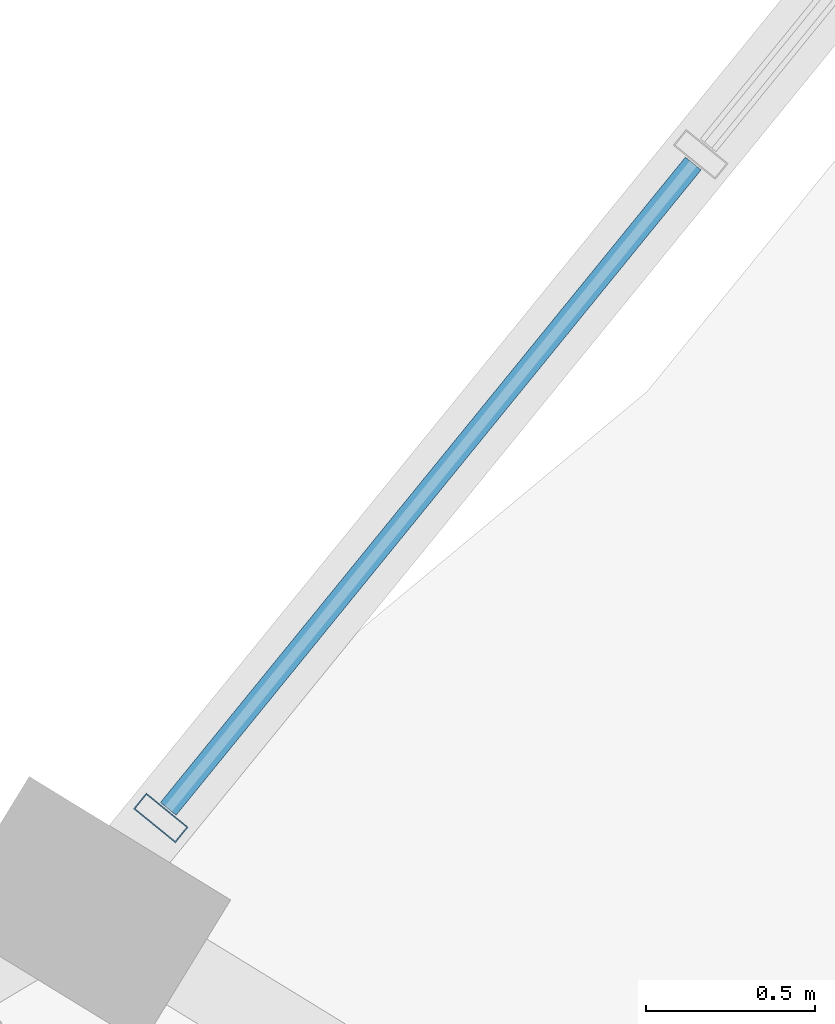
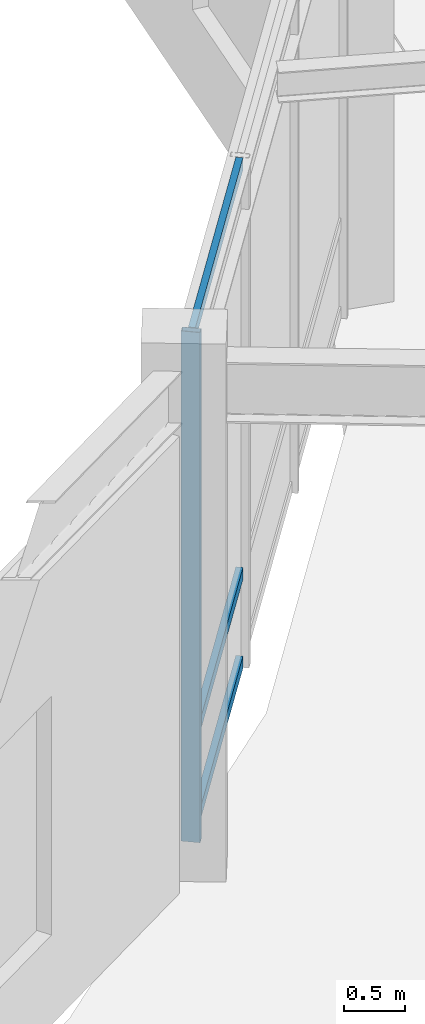
# One storey, part 66 of 157: 4 members, 1 element without a shape of its own.
"""IFC4 building model written with IfcOpenShell, lengths in metres."""

from ifc_helpers import new_model, si_unit, direction, frame, origin, origin_2d, place, context, subcontext, project, spatial, hollow_rectangle, extrude, material, material_profile, profile_set, type_object, element, aggregate, save


model = new_model("IFC4")

# Units and contexts
model_context = context("Model", 3, precision=1e-05, world=origin(), true_north=direction((0.0, 1.0)))
body_context = subcontext(model_context, "Body", "Model", "MODEL_VIEW")
ifc_project = project(units=[si_unit("LENGTHUNIT", "METRE"), si_unit("AREAUNIT", "SQUARE_METRE"), si_unit("VOLUMEUNIT", "CUBIC_METRE"), si_unit("PLANEANGLEUNIT", "RADIAN"), si_unit("MASSUNIT", "GRAM", prefix="KILO"), si_unit("THERMODYNAMICTEMPERATUREUNIT", "KELVIN"), si_unit("POWERUNIT", "WATT")], contexts=[model_context])

# Site, building, storey
site_placement = place(None, origin())
site = spatial("IfcSite", under=ifc_project, at=site_placement, CompositionType="ELEMENT")
building_placement = place(site_placement, origin())
building = spatial("IfcBuilding", under=site, at=building_placement, Name="Darbajah Civic Hall", CompositionType="ELEMENT")
storey_placement = place(building_placement, origin())
storey = spatial("IfcBuildingStorey", under=building, at=storey_placement, Name="L00", CompositionType="ELEMENT", Elevation=0.0)

# Curtain wall, members
ifc_material_1 = material(Name="Anodised Bronze Aluminium and Low-E Glazing", Category="aluminium")
curtain_wall_type = type_object("IfcCurtainWallType", Name="Unitised Curtain Wall CW-17 7600x5100", PredefinedType="USERDEFINED", material=ifc_material_1)
curtain_wall_placement = place(storey_placement, origin())
curtain_wall = element("IfcCurtainWall", 1, at=curtain_wall_placement, inside=storey, type_object=curtain_wall_type, Name="L00 unitised curtain wall CW-V1I-L00-18", ObjectType="UNITISED CURTAIN WALL", PredefinedType="USERDEFINED")
ifc_material_2 = material(Name="Anodised Bronze Aluminium", Category="aluminium")
ifc_material_profile_1 = material_profile(ifc_material_2, hollow_rectangle(XDim=0.06005859375, YDim=0.159912109375, WallThickness=0.00341796875, at=origin_2d()), Name="ALU MULLION 60x160")
ifc_profile_set_1 = profile_set([ifc_material_profile_1], Name="Anodised Bronze Aluminium")
member_type_1 = type_object("IfcMemberType", Name="ALU MULLION 60x160", PredefinedType="MULLION", material=ifc_profile_set_1)
member_1_placement = place(storey_placement, frame((126.667724609375, 78.42138671875, 0.0), z_axis=(0.0, 0.0, 1.0), x_axis=(0.63108205791, 0.775716079622, 0.0)))
member_1 = element("IfcMember", 2, at=member_1_placement, type_object=member_type_1, Name="CW-V1I-L00-18 mullion 1", PredefinedType="MULLION", context=body_context, shape_type="SweptSolid", body=[
    extrude(hollow_rectangle(XDim=0.06005859375, YDim=0.159912109375, WallThickness=0.00341796875, at=origin_2d()), origin(), (0.0, 0.0, 1.0), 5.1201171875),
])
ifc_material_profile_2 = material_profile(ifc_material_2, hollow_rectangle(XDim=0.06005859375, YDim=0.1201171875, WallThickness=0.003173828125, at=origin_2d()), Name="ALU TRANSOM 60x120")
ifc_profile_set_2 = profile_set([ifc_material_profile_2], Name="Anodised Bronze Aluminium")
member_type_2 = type_object("IfcMemberType", Name="ALU TRANSOM 60x120", PredefinedType="USERDEFINED", material=ifc_profile_set_2)
member_2_placement = place(storey_placement, frame((126.689697265625, 78.448486328125, 0.06005859375), z_axis=(0.631110696539, 0.775692779851, 0.0), x_axis=(-0.775692779851, 0.631110696539, 0.0)))
member_2 = element("IfcMember", 3, at=member_2_placement, type_object=member_type_2, Name="CW-V1I-L00-18 transom 1.1", ObjectType="TRANSOM", PredefinedType="USERDEFINED", context=body_context, shape_type="SweptSolid", body=[
    extrude(hollow_rectangle(XDim=0.06005859375, YDim=0.1201171875, WallThickness=0.003173828125, at=origin_2d()), origin(), (0.0, 0.0, 1.0), 2.46533203125),
])
member_3_placement = place(storey_placement, frame((126.689697265625, 78.448486328125, 0.949951171875), z_axis=(0.631110696539, 0.775692779851, 0.0), x_axis=(-0.775692779851, 0.631110696539, 0.0)))
member_3 = element("IfcMember", 4, at=member_3_placement, type_object=member_type_2, Name="CW-V1I-L00-18 transom 1.2", ObjectType="TRANSOM", PredefinedType="USERDEFINED", context=body_context, shape_type="SweptSolid", body=[
    extrude(hollow_rectangle(XDim=0.06005859375, YDim=0.1201171875, WallThickness=0.003173828125, at=origin_2d()), origin(), (0.0, 0.0, 1.0), 2.46533203125),
])
member_4_placement = place(storey_placement, frame((126.689697265625, 78.448486328125, 5.06005859375), z_axis=(0.631110696539, 0.775692779851, 0.0), x_axis=(-0.775692779851, 0.631110696539, 0.0)))
member_4 = element("IfcMember", 5, at=member_4_placement, type_object=member_type_2, Name="CW-V1I-L00-18 transom 1.3", ObjectType="TRANSOM", PredefinedType="USERDEFINED", context=body_context, shape_type="SweptSolid", body=[
    extrude(hollow_rectangle(XDim=0.06005859375, YDim=0.1201171875, WallThickness=0.003173828125, at=origin_2d()), origin(), (0.0, 0.0, 1.0), 2.46533203125),
])
aggregate(curtain_wall, [member_1, member_2, member_3, member_4])

save(model, "model.ifc")
